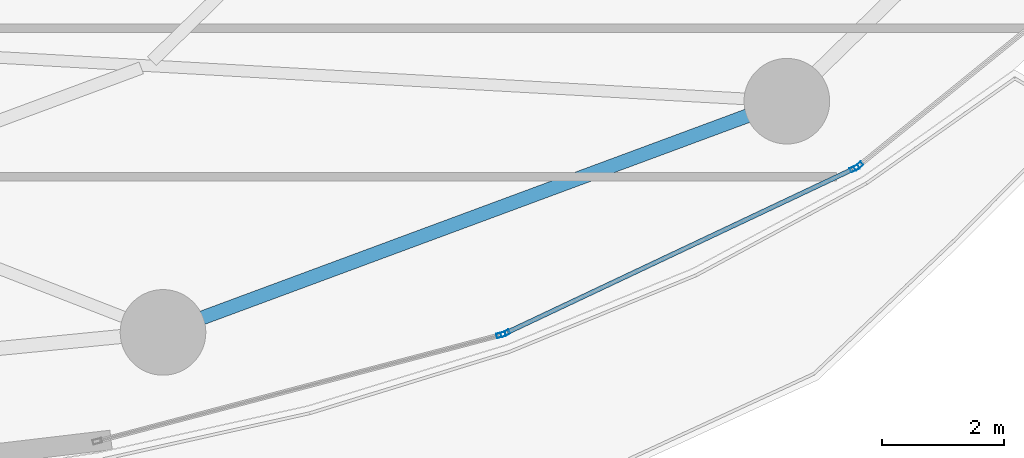
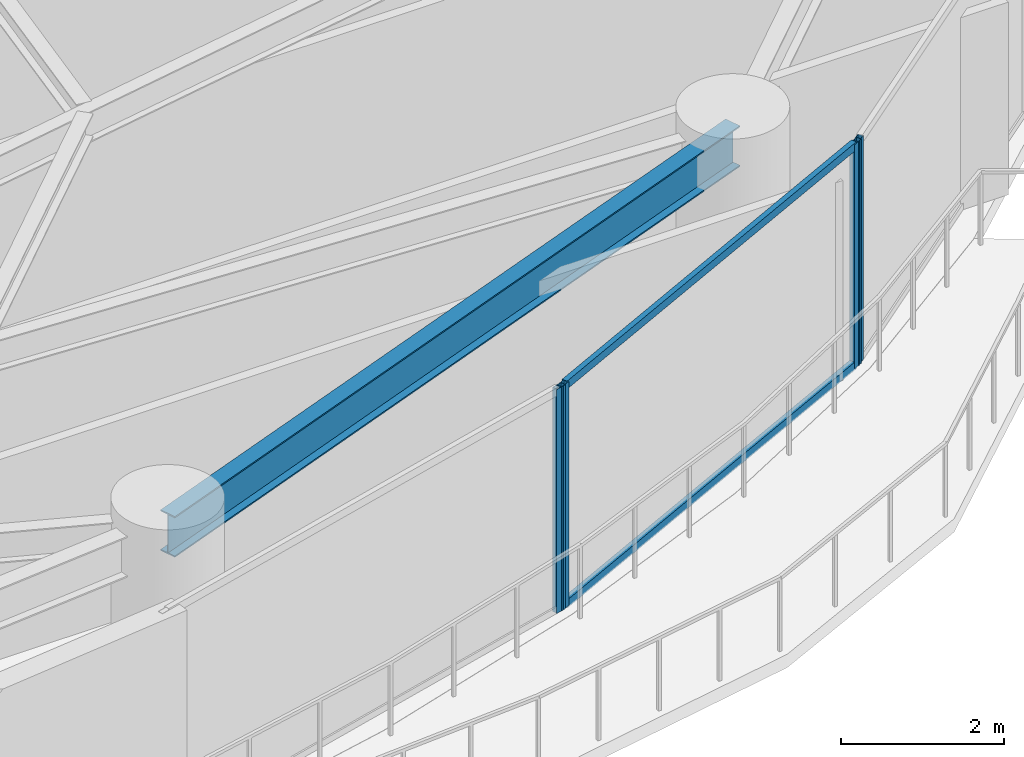
# One storey, part 14 of 31: 6 members, 1 beam, 3 elements without a shape of their own.
"""IFC4 building model written with IfcOpenShell, lengths in metres."""

from ifc_helpers import new_model, si_unit, direction, frame, origin, origin_2d, place, context, subcontext, project, spatial, hollow_rectangle, i_section, extrude, material, layer, layer_set, material_profile, profile_set, type_object, element, aggregate, save


model = new_model("IFC4")

# Units and contexts
model_context = context("Model", 3, precision=1e-05, world=origin(), true_north=direction((0.0, 1.0)))
body_context = subcontext(model_context, "Body", "Model", "MODEL_VIEW")
ifc_project = project(units=[si_unit("LENGTHUNIT", "METRE"), si_unit("AREAUNIT", "SQUARE_METRE"), si_unit("VOLUMEUNIT", "CUBIC_METRE"), si_unit("PLANEANGLEUNIT", "RADIAN"), si_unit("MASSUNIT", "GRAM", prefix="KILO")], contexts=[model_context])

# Site, building, storey
site_placement = place(None, origin())
site = spatial("IfcSite", under=ifc_project, at=site_placement, CompositionType="ELEMENT")
building_placement = place(site_placement, origin())
building = spatial("IfcBuilding", under=site, at=building_placement, Name="Kazevale Care Tower and Concert Hall", CompositionType="ELEMENT")
storey_placement = place(building_placement, frame((0.0, 0.0, 81.60009765625)))
storey = spatial("IfcBuildingStorey", under=building, at=storey_placement, Name="L21", CompositionType="ELEMENT", Elevation=81.60009765625)

# Curtain wall, member
ifc_material_1 = material(Name="Aluminium 6063-T6 and Low-E Glass", Category="aluminium")
ifc_layer = layer(ifc_material_1, 0.179931640625)
ifc_layer_set = layer_set([ifc_layer], Name="Aluminium 6063-T6 and Low-E Glass")
curtain_wall_type = type_object("IfcCurtainWallType", Name="Sheltered Concave Balcony Curtain Wall CW-5", PredefinedType="NOTDEFINED", material=ifc_layer_set)
curtain_wall_1_placement = place(storey_placement, origin())
curtain_wall_1 = element("IfcCurtainWall", 1, at=curtain_wall_1_placement, inside=storey, type_object=curtain_wall_type, Name="cw:L21:f02", PredefinedType="NOTDEFINED")
ifc_material_2 = material(Name="Aluminium 6063-T6", Category="aluminium")
ifc_material_profile_1 = material_profile(ifc_material_2, hollow_rectangle(XDim=0.074951171875, YDim=0.14990234375, WallThickness=0.00390625, at=origin_2d()), Name="ALU75x150x4")
ifc_profile_set_1 = profile_set([ifc_material_profile_1], Name="Aluminium 6063-T6")
member_type_1 = type_object("IfcMemberType", Name="CW-5 Mullion ALU75x150x4", PredefinedType="MULLION", material=ifc_profile_set_1)
member_1_placement = place(storey_placement, frame((68.41015625, 21.250732421875, 0.0), z_axis=(0.0, 0.0, 1.0), x_axis=(0.629994732952, -0.77659940539, 0.0)))
member_1 = element("IfcMember", 2, at=member_1_placement, type_object=member_type_1, Name="CW-5 mullion 2", PredefinedType="MULLION", context=body_context, shape_type="SweptSolid", body=[
    extrude(hollow_rectangle(XDim=0.074951171875, YDim=0.14990234375, WallThickness=0.00390625, at=origin_2d()), origin(), (0.0, 0.0, 1.0), 3.35986328125),
])
aggregate(curtain_wall_1, [member_1])

# Curtain wall, members
curtain_wall_2_placement = place(storey_placement, origin())
curtain_wall_2 = element("IfcCurtainWall", 3, at=curtain_wall_2_placement, inside=storey, type_object=curtain_wall_type, Name="cw:L21:f03", PredefinedType="NOTDEFINED")
member_2_placement = place(storey_placement, frame((68.34716796875, 21.2109375, 0.0), z_axis=(0.0, 0.0, 1.0), x_axis=(0.426942320459, -0.904278859092, 0.0)))
member_2 = element("IfcMember", 4, at=member_2_placement, type_object=member_type_1, Name="CW-5 mullion 1", PredefinedType="MULLION", context=body_context, shape_type="SweptSolid", body=[
    extrude(hollow_rectangle(XDim=0.074951171875, YDim=0.14990234375, WallThickness=0.00390625, at=origin_2d()), origin(), (0.0, 0.0, 1.0), 3.35986328125),
])
member_3_placement = place(storey_placement, frame((62.636962890625, 18.514892578125, 0.0), z_axis=(0.0, 0.0, 1.0), x_axis=(0.426942320459, -0.904278859092, 0.0)))
member_3 = element("IfcMember", 5, at=member_3_placement, type_object=member_type_1, Name="CW-5 mullion 2", PredefinedType="MULLION", context=body_context, shape_type="SweptSolid", body=[
    extrude(hollow_rectangle(XDim=0.074951171875, YDim=0.14990234375, WallThickness=0.00390625, at=origin_2d()), origin(), (0.0, 0.0, 1.0), 3.35986328125),
])

# Curtain wall, member
curtain_wall_3_placement = place(storey_placement, origin())
curtain_wall_3 = element("IfcCurtainWall", 6, at=curtain_wall_3_placement, inside=storey, type_object=curtain_wall_type, Name="cw:L21:f04", PredefinedType="NOTDEFINED")
member_4_placement = place(storey_placement, frame((62.566650390625, 18.489501953125, 0.0), z_axis=(0.0, 0.0, 1.0), x_axis=(0.254828630267, -0.966986230097, 0.0)))
member_4 = element("IfcMember", 7, at=member_4_placement, type_object=member_type_1, Name="CW-5 mullion 1", PredefinedType="MULLION", context=body_context, shape_type="SweptSolid", body=[
    extrude(hollow_rectangle(XDim=0.074951171875, YDim=0.14990234375, WallThickness=0.00390625, at=origin_2d()), origin(), (0.0, 0.0, 1.0), 3.35986328125),
])
aggregate(curtain_wall_3, [member_4])

# Member
ifc_material_profile_2 = material_profile(ifc_material_2, hollow_rectangle(XDim=0.074951171875, YDim=0.1201171875, WallThickness=0.00390625, at=origin_2d()), Name="ALU75x120x4")
ifc_profile_set_2 = profile_set([ifc_material_profile_2], Name="Aluminium 6063-T6")
member_type_2 = type_object("IfcMemberType", Name="CW-5 Transom ALU75x120x4", PredefinedType="USERDEFINED", material=ifc_profile_set_2)
member_5_placement = place(storey_placement, frame((68.313232421875, 21.195068359375, 0.037353515625), z_axis=(-0.904271726847, -0.426957426479, 0.0), x_axis=(0.426957426479, -0.904271726847, 0.0)))
member_5 = element("IfcMember", 8, at=member_5_placement, type_object=member_type_2, Name="CW-5 transom 1.1", ObjectType="TRANSOM", PredefinedType="USERDEFINED", context=body_context, shape_type="SweptSolid", body=[
    extrude(hollow_rectangle(XDim=0.074951171875, YDim=0.1201171875, WallThickness=0.00390625, at=origin_2d()), origin(), (0.0, 0.0, 1.0), 6.23974609375),
])

member_6_placement = place(storey_placement, frame((68.313232421875, 21.195068359375, 3.322509765625), z_axis=(-0.904271726847, -0.426957426479, 0.0), x_axis=(0.426957426479, -0.904271726847, 0.0)))
member_6 = element("IfcMember", 9, at=member_6_placement, type_object=member_type_2, Name="CW-5 transom 1.2", ObjectType="TRANSOM", PredefinedType="USERDEFINED", context=body_context, shape_type="SweptSolid", body=[
    extrude(hollow_rectangle(XDim=0.074951171875, YDim=0.1201171875, WallThickness=0.00390625, at=origin_2d()), origin(), (0.0, 0.0, 1.0), 6.23974609375),
])

aggregate(curtain_wall_2, [member_2, member_3, member_5, member_6])

# Beam
ifc_material_3 = material(Name="Steel ASTM A572 Gr 50", Category="steel")
ifc_material_profile_3 = material_profile(ifc_material_3, i_section(OverallWidth=0.22900390625, OverallDepth=0.612060546875, WebThickness=0.011962890625, FlangeThickness=0.01953125, at=origin_2d()), Name="W610x125")
ifc_profile_set_3 = profile_set([ifc_material_profile_3], Name="Steel ASTM A572 Gr 50")
beam_type = type_object("IfcBeamType", Name="Ring Spandrel Beam W610x125", PredefinedType="SPANDREL", material=ifc_profile_set_3)
beam_placement = place(storey_placement, frame((57.0400390625, 18.530029296875, 3.053955078125), z_axis=(0.937680788596, 0.347497825458, 0.0), x_axis=(-0.347497825458, 0.937680788596, 0.0)))
element("IfcBeam", 10, at=beam_placement, inside=storey, type_object=beam_type, Name="beam:L21:ring:14", PredefinedType="SPANDREL", context=body_context, shape_type="SweptSolid", body=[
    extrude(i_section(OverallWidth=0.22900390625, OverallDepth=0.612060546875, WebThickness=0.011962890625, FlangeThickness=0.01953125, at=origin_2d()), origin(), (0.0, 0.0, 1.0), 10.8779296875),
])

save(model, "model.ifc")
